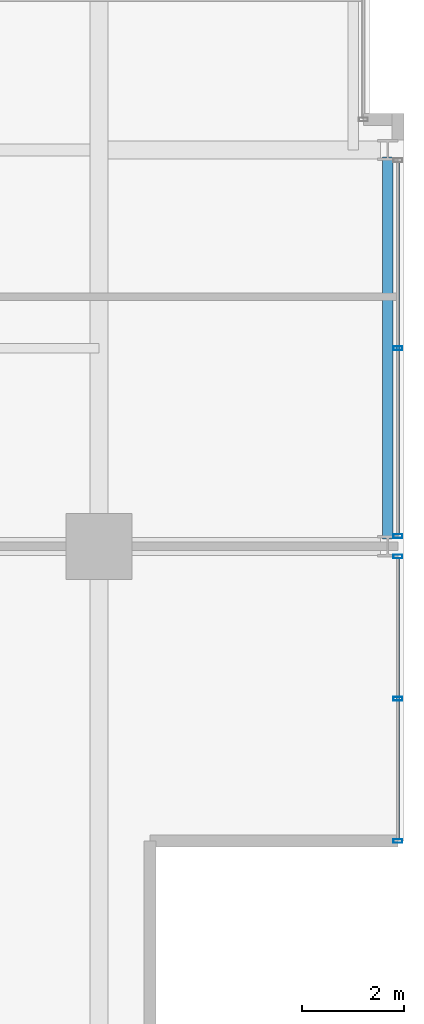
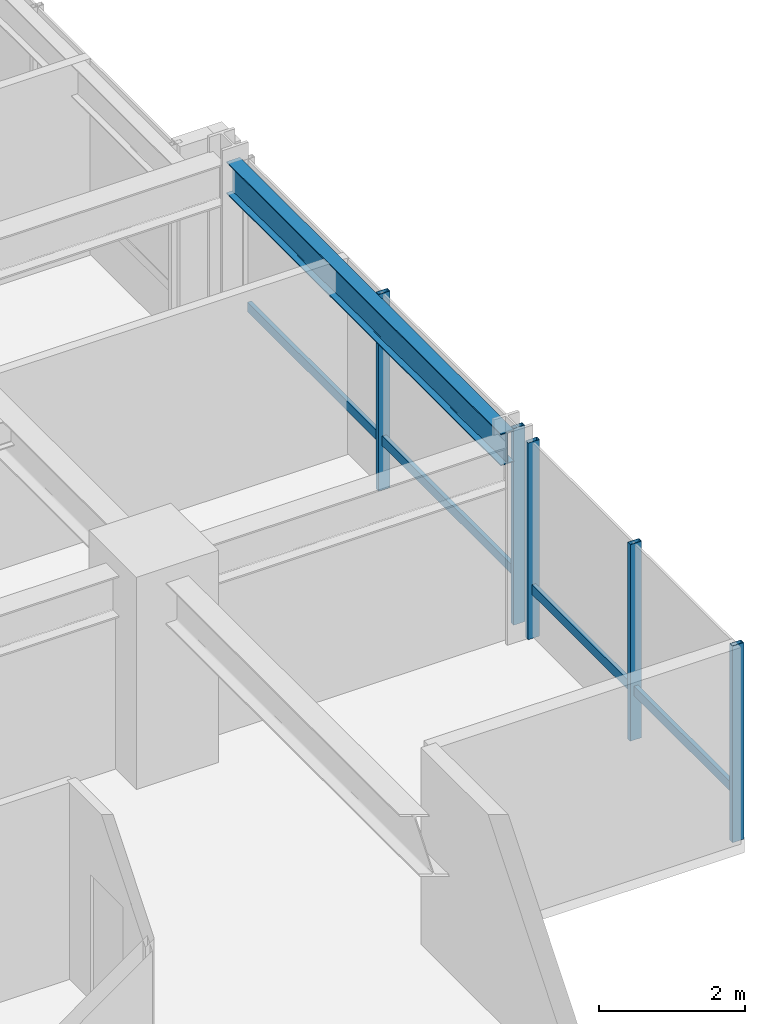
# One storey, part 13 of 32: 7 members, 1 beam, 2 elements without a shape of their own.
"""IFC4 building model written with IfcOpenShell, lengths in metres."""

from ifc_helpers import new_model, si_unit, direction, frame, origin, origin_2d, place, context, subcontext, project, spatial, hollow_rectangle, i_section, extrude, material, layer, layer_set, material_profile, profile_set, type_object, element, aggregate, save


model = new_model("IFC4")

# Units and contexts
model_context = context("Model", 3, precision=1e-05, world=origin(), true_north=direction((0.0, 1.0)))
body_context = subcontext(model_context, "Body", "Model", "MODEL_VIEW")
ifc_project = project(units=[si_unit("LENGTHUNIT", "METRE"), si_unit("AREAUNIT", "SQUARE_METRE"), si_unit("VOLUMEUNIT", "CUBIC_METRE"), si_unit("PLANEANGLEUNIT", "RADIAN"), si_unit("MASSUNIT", "GRAM", prefix="KILO")], contexts=[model_context])

# Site, building, storey
site_placement = place(None, origin())
site = spatial("IfcSite", under=ifc_project, at=site_placement, CompositionType="ELEMENT")
building_placement = place(site_placement, origin())
building = spatial("IfcBuilding", under=site, at=building_placement, Name="Drelvath Grand Hotel", CompositionType="ELEMENT")
storey_placement = place(building_placement, frame((0.0, 0.0, 150.39990234375)))
storey = spatial("IfcBuildingStorey", under=building, at=storey_placement, Name="L38", CompositionType="ELEMENT", Elevation=150.39990234375)

# Curtain wall, member
ifc_material_1 = material(Name="Brushed Pale-Silver Anodised Aluminium Frame", Category="aluminium")
ifc_layer = layer(ifc_material_1, 0.199951171875)
ifc_layer_set = layer_set([ifc_layer], Name="Brushed Pale-Silver Anodised Aluminium Frame")
curtain_wall_type = type_object("IfcCurtainWallType", Name="Stick Curtain Wall CW-04 Brushed Silver Upper-Mid", PredefinedType="NOTDEFINED", material=ifc_layer_set)
curtain_wall_1_placement = place(storey_placement, origin())
curtain_wall_1 = element("IfcCurtainWall", 1, at=curtain_wall_1_placement, inside=storey, type_object=curtain_wall_type, Name="L38 CW-04 Curtain Wall CW04-L38-ES1", PredefinedType="NOTDEFINED")
ifc_material_profile_1 = material_profile(ifc_material_1, hollow_rectangle(XDim=0.06494140625, YDim=0.159912109375, WallThickness=0.00390625, at=origin_2d()), Name="HSS160X65X4")
ifc_profile_set_1 = profile_set([ifc_material_profile_1], Name="Brushed Pale-Silver Anodised Aluminium Frame")
member_type_1 = type_object("IfcMemberType", Name="Curtain Wall Horizontal Transom CW-04 HSS160X65X4", PredefinedType="USERDEFINED", material=ifc_profile_set_1)
member_1_placement = place(storey_placement, frame((22.080078125, 10.559814453125, 0.822509765625), z_axis=(0.0, -1.0, 0.0), x_axis=(1.0, 0.0, 0.0)))
member_1 = element("IfcMember", 2, at=member_1_placement, type_object=member_type_1, Name="CW04-L38-ES1 Sill Transom", ObjectType="TRANSOM", PredefinedType="USERDEFINED", context=body_context, shape_type="SweptSolid", body=[
    extrude(hollow_rectangle(XDim=0.06494140625, YDim=0.159912109375, WallThickness=0.00390625, at=origin_2d()), origin(), (0.0, 0.0, 1.0), 5.519775390625),
])

curtain_wall_2_placement = place(storey_placement, origin())
curtain_wall_2 = element("IfcCurtainWall", 3, at=curtain_wall_2_placement, inside=storey, type_object=curtain_wall_type, Name="L38 CW-04 Curtain Wall CW04-L38-ES2", PredefinedType="NOTDEFINED")
member_2_placement = place(storey_placement, frame((22.080078125, 18.360107421875, 0.822509765625), z_axis=(0.0, -1.0, 0.0), x_axis=(1.0, 0.0, 0.0)))
member_2 = element("IfcMember", 4, at=member_2_placement, type_object=member_type_1, Name="CW04-L38-ES2 Sill Transom", ObjectType="TRANSOM", PredefinedType="USERDEFINED", context=body_context, shape_type="SweptSolid", body=[
    extrude(hollow_rectangle(XDim=0.06494140625, YDim=0.159912109375, WallThickness=0.00390625, at=origin_2d()), origin(), (0.0, 0.0, 1.0), 7.320068359375),
])

# Member
ifc_material_profile_2 = material_profile(ifc_material_1, hollow_rectangle(XDim=0.074951171875, YDim=0.179931640625, WallThickness=0.0048828125, at=origin_2d()), Name="HSS180X75X5")
ifc_profile_set_2 = profile_set([ifc_material_profile_2], Name="Brushed Pale-Silver Anodised Aluminium Frame")
member_type_2 = type_object("IfcMemberType", Name="Curtain Wall Vertical Mullion CW-04 HSS180X75X5", PredefinedType="MULLION", material=ifc_profile_set_2)
member_3_placement = place(storey_placement, frame((22.080078125, 10.599853515625, 0.0), z_axis=(0.0, 0.0, 1.0), x_axis=(0.0, 1.0, 0.0)))
member_3 = element("IfcMember", 5, at=member_3_placement, type_object=member_type_2, Name="CW04-L38-ES1 Mullion 1", PredefinedType="MULLION", context=body_context, shape_type="SweptSolid", body=[
    extrude(hollow_rectangle(XDim=0.074951171875, YDim=0.179931640625, WallThickness=0.0048828125, at=origin_2d()), origin(), (0.0, 0.0, 1.0), 3.2900390625),
])

member_4_placement = place(storey_placement, frame((22.080078125, 7.7998046875, 0.0), z_axis=(0.0, 0.0, 1.0), x_axis=(0.0, 1.0, 0.0)))
member_4 = element("IfcMember", 6, at=member_4_placement, type_object=member_type_2, Name="CW04-L38-ES1 Mullion 2", PredefinedType="MULLION", context=body_context, shape_type="SweptSolid", body=[
    extrude(hollow_rectangle(XDim=0.074951171875, YDim=0.179931640625, WallThickness=0.0048828125, at=origin_2d()), origin(), (0.0, 0.0, 1.0), 3.2900390625),
])

member_5_placement = place(storey_placement, frame((22.080078125, 5.0, 0.0), z_axis=(0.0, 0.0, 1.0), x_axis=(0.0, 1.0, 0.0)))
member_5 = element("IfcMember", 7, at=member_5_placement, type_object=member_type_2, Name="CW04-L38-ES1 Mullion 3", PredefinedType="MULLION", context=body_context, shape_type="SweptSolid", body=[
    extrude(hollow_rectangle(XDim=0.074951171875, YDim=0.179931640625, WallThickness=0.0048828125, at=origin_2d()), origin(), (0.0, 0.0, 1.0), 3.2900390625),
])

aggregate(curtain_wall_1, [member_3, member_4, member_5, member_1])

member_6_placement = place(storey_placement, frame((22.080078125, 14.699951171875, 0.0), z_axis=(0.0, 0.0, 1.0), x_axis=(0.0, 1.0, 0.0)))
member_6 = element("IfcMember", 8, at=member_6_placement, type_object=member_type_2, Name="CW04-L38-ES2 Mullion 2", PredefinedType="MULLION", context=body_context, shape_type="SweptSolid", body=[
    extrude(hollow_rectangle(XDim=0.074951171875, YDim=0.179931640625, WallThickness=0.0048828125, at=origin_2d()), origin(), (0.0, 0.0, 1.0), 3.2900390625),
])

member_7_placement = place(storey_placement, frame((22.080078125, 11.0, 0.0), z_axis=(0.0, 0.0, 1.0), x_axis=(0.0, 1.0, 0.0)))
member_7 = element("IfcMember", 9, at=member_7_placement, type_object=member_type_2, Name="CW04-L38-ES2 Mullion 3", PredefinedType="MULLION", context=body_context, shape_type="SweptSolid", body=[
    extrude(hollow_rectangle(XDim=0.074951171875, YDim=0.179931640625, WallThickness=0.0048828125, at=origin_2d()), origin(), (0.0, 0.0, 1.0), 3.2900390625),
])

aggregate(curtain_wall_2, [member_6, member_7, member_2])

# Beam
ifc_material_2 = material(Name="Steel ASTM A992 Gr 50", Category="steel")
ifc_material_profile_3 = material_profile(ifc_material_2, i_section(OverallWidth=0.210205078125, OverallDepth=0.53662109375, WebThickness=0.010986328125, FlangeThickness=0.017333984375, FilletRadius=0.01806640625, at=origin_2d()), Name="W21X68")
ifc_profile_set_3 = profile_set([ifc_material_profile_3], Name="Steel ASTM A992 Gr 50")
beam_type = type_object("IfcBeamType", Name="Perimeter Spandrel Beam W21X68", PredefinedType="SPANDREL", material=ifc_profile_set_3)
beam_placement = place(storey_placement, frame((21.8798828125, 10.93994140625, 3.021728515625), z_axis=(0.0, 1.0, 0.0), x_axis=(-1.0, 0.0, 0.0)))
element("IfcBeam", 10, at=beam_placement, inside=storey, type_object=beam_type, Name="L38 Spandrel East S", PredefinedType="SPANDREL", context=body_context, shape_type="SweptSolid", body=[
    extrude(i_section(OverallWidth=0.210205078125, OverallDepth=0.53662109375, WebThickness=0.010986328125, FlangeThickness=0.017333984375, FilletRadius=0.01806640625, at=origin_2d()), origin(), (0.0, 0.0, 1.0), 7.52001953125),
])

save(model, "model.ifc")
